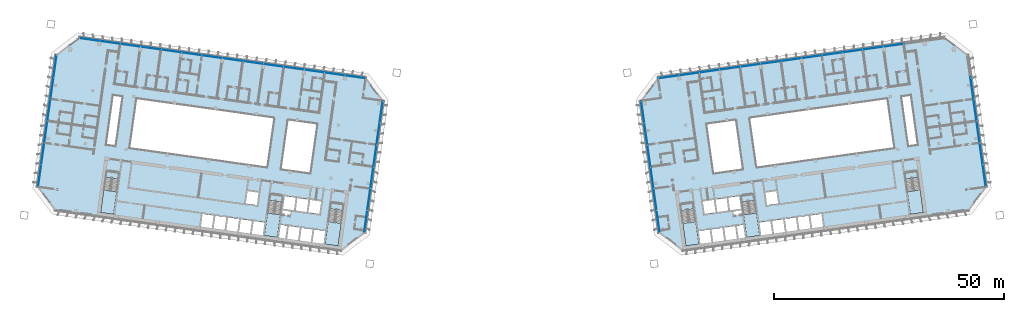
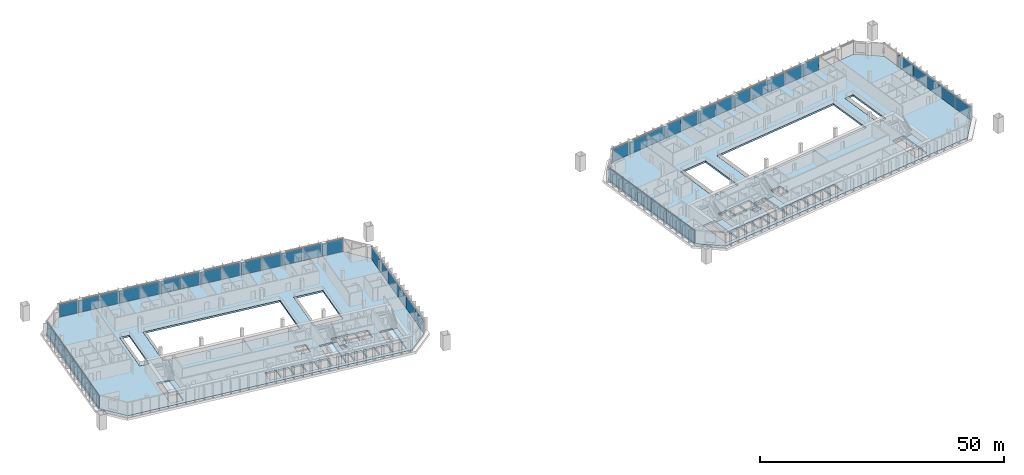
# One storey, part 12 of 25: 49 plates, 8 slabs, 12 elements without a shape of their own.
"""IFC4 building model written with IfcOpenShell, lengths in metres."""

from ifc_helpers import new_model, si_unit, direction, frame, origin, origin_2d, place, context, subcontext, project, spatial, polyline, rectangle, outline, extrude, material, layer, layer_set, type_object, element, aggregate, save


model = new_model("IFC4")

# Units and contexts
model_context = context("Model", 3, precision=1e-05, world=origin(), true_north=direction((0.0, 1.0)))
body_context = subcontext(model_context, "Body", "Model", "MODEL_VIEW")
ifc_project = project(units=[si_unit("LENGTHUNIT", "METRE"), si_unit("AREAUNIT", "SQUARE_METRE"), si_unit("VOLUMEUNIT", "CUBIC_METRE"), si_unit("PLANEANGLEUNIT", "RADIAN"), si_unit("MASSUNIT", "GRAM", prefix="KILO")], contexts=[model_context])

# Site, building, storey
site_placement = place(None, origin())
site = spatial("IfcSite", under=ifc_project, at=site_placement, CompositionType="ELEMENT")
building_placement = place(site_placement, origin())
building = spatial("IfcBuilding", under=site, at=building_placement, Name="Mirante Cascada Hotel Towers", CompositionType="ELEMENT")
storey_placement = place(building_placement, frame((0.0, 0.0, 102.5)))
storey = spatial("IfcBuildingStorey", under=building, at=storey_placement, Name="L22", CompositionType="ELEMENT", Elevation=102.5)

# Curtain wall, plates
ifc_material_1 = material(Name="Aluminium mullion and transom frame with clear laminated glass", Category="aluminium")
curtain_wall_type_1 = type_object("IfcCurtainWallType", Name="Ribbon curtain wall ECW1", PredefinedType="NOTDEFINED", material=ifc_material_1)
curtain_wall_1_placement = place(storey_placement, origin())
curtain_wall_1 = element("IfcCurtainWall", 1, at=curtain_wall_1_placement, inside=storey, type_object=curtain_wall_type_1, Name="Front ribbon wall T1 L22", PredefinedType="NOTDEFINED")
ifc_material_2 = material(Name="Clear laminated glass", Category="glass")
ifc_layer_1 = layer(ifc_material_2, 0.036)
ifc_layer_set_1 = layer_set([ifc_layer_1], Name="ECW1 glass panel 36")
plate_type_1 = type_object("IfcPlateType", Name="ECW1 glass panel 36", PredefinedType="CURTAIN_PANEL", material=ifc_layer_set_1)
plate_1_placement = place(storey_placement, frame((-91.9184, 25.7373, 0.1), z_axis=(0.0, 0.0, 1.0), x_axis=(0.9902681, -0.1391731, 0.0)))
plate_1 = element("IfcPlate", 2, at=plate_1_placement, type_object=plate_type_1, Name="ECW1 panel 1", PredefinedType="CURTAIN_PANEL", context=body_context, shape_type="SweptSolid", body=[
    extrude(rectangle(XDim=4.3936, YDim=0.036, at=origin_2d()), origin(), (0.0, 0.0, 1.0), 3.15),
])
plate_2_placement = place(storey_placement, frame((-87.487, 25.1145, 0.1), z_axis=(0.0, 0.0, 1.0), x_axis=(0.9902681, -0.1391731, 0.0)))
plate_2 = element("IfcPlate", 3, at=plate_2_placement, type_object=plate_type_1, Name="ECW1 panel 2", PredefinedType="CURTAIN_PANEL", context=body_context, shape_type="SweptSolid", body=[
    extrude(rectangle(XDim=4.4261, YDim=0.036, at=origin_2d()), origin(), (0.0, 0.0, 1.0), 3.15),
])
plate_3_placement = place(storey_placement, frame((-83.0396, 24.4895, 0.1), z_axis=(0.0, 0.0, 1.0), x_axis=(0.9902681, -0.1391731, 0.0)))
plate_3 = element("IfcPlate", 4, at=plate_3_placement, type_object=plate_type_1, Name="ECW1 panel 3", PredefinedType="CURTAIN_PANEL", context=body_context, shape_type="SweptSolid", body=[
    extrude(rectangle(XDim=4.4261, YDim=0.036, at=origin_2d()), origin(), (0.0, 0.0, 1.0), 3.15),
])
plate_4_placement = place(storey_placement, frame((-78.5922, 23.8644, 0.1), z_axis=(0.0, 0.0, 1.0), x_axis=(0.9902681, -0.1391731, 0.0)))
plate_4 = element("IfcPlate", 5, at=plate_4_placement, type_object=plate_type_1, Name="ECW1 panel 4", PredefinedType="CURTAIN_PANEL", context=body_context, shape_type="SweptSolid", body=[
    extrude(rectangle(XDim=4.4261, YDim=0.036, at=origin_2d()), origin(), (0.0, 0.0, 1.0), 3.15),
])
plate_5_placement = place(storey_placement, frame((-74.1448, 23.2394, 0.1), z_axis=(0.0, 0.0, 1.0), x_axis=(0.9902681, -0.1391731, 0.0)))
plate_5 = element("IfcPlate", 6, at=plate_5_placement, type_object=plate_type_1, Name="ECW1 panel 5", PredefinedType="CURTAIN_PANEL", context=body_context, shape_type="SweptSolid", body=[
    extrude(rectangle(XDim=4.4261, YDim=0.036, at=origin_2d()), origin(), (0.0, 0.0, 1.0), 3.15),
])
plate_6_placement = place(storey_placement, frame((-69.6974, 22.6144, 0.1), z_axis=(0.0, 0.0, 1.0), x_axis=(0.9902681, -0.1391731, 0.0)))
plate_6 = element("IfcPlate", 7, at=plate_6_placement, type_object=plate_type_1, Name="ECW1 panel 6", PredefinedType="CURTAIN_PANEL", context=body_context, shape_type="SweptSolid", body=[
    extrude(rectangle(XDim=4.4261, YDim=0.036, at=origin_2d()), origin(), (0.0, 0.0, 1.0), 3.15),
])
plate_7_placement = place(storey_placement, frame((-65.2499, 21.9893, 0.1), z_axis=(0.0, 0.0, 1.0), x_axis=(0.9902681, -0.1391731, 0.0)))
plate_7 = element("IfcPlate", 8, at=plate_7_placement, type_object=plate_type_1, Name="ECW1 panel 7", PredefinedType="CURTAIN_PANEL", context=body_context, shape_type="SweptSolid", body=[
    extrude(rectangle(XDim=4.4261, YDim=0.036, at=origin_2d()), origin(), (0.0, 0.0, 1.0), 3.15),
])
plate_8_placement = place(storey_placement, frame((-60.8025, 21.3643, 0.1), z_axis=(0.0, 0.0, 1.0), x_axis=(0.9902681, -0.1391731, 0.0)))
plate_8 = element("IfcPlate", 9, at=plate_8_placement, type_object=plate_type_1, Name="ECW1 panel 8", PredefinedType="CURTAIN_PANEL", context=body_context, shape_type="SweptSolid", body=[
    extrude(rectangle(XDim=4.4261, YDim=0.036, at=origin_2d()), origin(), (0.0, 0.0, 1.0), 3.15),
])
plate_9_placement = place(storey_placement, frame((-56.3551, 20.7392, 0.1), z_axis=(0.0, 0.0, 1.0), x_axis=(0.9902681, -0.1391731, 0.0)))
plate_9 = element("IfcPlate", 10, at=plate_9_placement, type_object=plate_type_1, Name="ECW1 panel 9", PredefinedType="CURTAIN_PANEL", context=body_context, shape_type="SweptSolid", body=[
    extrude(rectangle(XDim=4.4261, YDim=0.036, at=origin_2d()), origin(), (0.0, 0.0, 1.0), 3.15),
])
plate_10_placement = place(storey_placement, frame((-51.9077, 20.1142, 0.1), z_axis=(0.0, 0.0, 1.0), x_axis=(0.9902681, -0.1391731, 0.0)))
plate_10 = element("IfcPlate", 11, at=plate_10_placement, type_object=plate_type_1, Name="ECW1 panel 10", PredefinedType="CURTAIN_PANEL", context=body_context, shape_type="SweptSolid", body=[
    extrude(rectangle(XDim=4.4261, YDim=0.036, at=origin_2d()), origin(), (0.0, 0.0, 1.0), 3.15),
])
plate_11_placement = place(storey_placement, frame((-47.4603, 19.4891, 0.1), z_axis=(0.0, 0.0, 1.0), x_axis=(0.9902681, -0.1391731, 0.0)))
plate_11 = element("IfcPlate", 12, at=plate_11_placement, type_object=plate_type_1, Name="ECW1 panel 11", PredefinedType="CURTAIN_PANEL", context=body_context, shape_type="SweptSolid", body=[
    extrude(rectangle(XDim=4.4261, YDim=0.036, at=origin_2d()), origin(), (0.0, 0.0, 1.0), 3.15),
])
plate_12_placement = place(storey_placement, frame((-43.0129, 18.8641, 0.1), z_axis=(0.0, 0.0, 1.0), x_axis=(0.9902681, -0.1391731, 0.0)))
plate_12 = element("IfcPlate", 13, at=plate_12_placement, type_object=plate_type_1, Name="ECW1 panel 12", PredefinedType="CURTAIN_PANEL", context=body_context, shape_type="SweptSolid", body=[
    extrude(rectangle(XDim=4.4261, YDim=0.036, at=origin_2d()), origin(), (0.0, 0.0, 1.0), 3.15),
])
plate_13_placement = place(storey_placement, frame((-38.5654, 18.239, 0.1), z_axis=(0.0, 0.0, 1.0), x_axis=(0.9902681, -0.1391731, 0.0)))
plate_13 = element("IfcPlate", 14, at=plate_13_placement, type_object=plate_type_1, Name="ECW1 panel 13", PredefinedType="CURTAIN_PANEL", context=body_context, shape_type="SweptSolid", body=[
    extrude(rectangle(XDim=4.4261, YDim=0.036, at=origin_2d()), origin(), (0.0, 0.0, 1.0), 3.15),
])
plate_14_placement = place(storey_placement, frame((-34.1341, 17.6163, 0.1), z_axis=(0.0, 0.0, 1.0), x_axis=(0.9902681, -0.1391731, 0.0)))
plate_14 = element("IfcPlate", 15, at=plate_14_placement, type_object=plate_type_1, Name="ECW1 panel 14", PredefinedType="CURTAIN_PANEL", context=body_context, shape_type="SweptSolid", body=[
    extrude(rectangle(XDim=4.3936, YDim=0.036, at=origin_2d()), origin(), (0.0, 0.0, 1.0), 3.15),
])
aggregate(curtain_wall_1, [plate_1, plate_2, plate_3, plate_4, plate_5, plate_6, plate_7, plate_8, plate_9, plate_10, plate_11, plate_12, plate_13, plate_14])

curtain_wall_2_placement = place(storey_placement, origin())
curtain_wall_2 = element("IfcCurtainWall", 16, at=curtain_wall_2_placement, inside=storey, type_object=curtain_wall_type_1, Name="Front ribbon wall T2 L22", PredefinedType="NOTDEFINED")
plate_15_placement = place(storey_placement, frame((83.0396, 24.4895, 0.1), z_axis=(0.0, 0.0, 1.0), x_axis=(-0.9902681, -0.1391731, 0.0)))
plate_15 = element("IfcPlate", 17, at=plate_15_placement, type_object=plate_type_1, Name="ECW1 panel 3", PredefinedType="CURTAIN_PANEL", context=body_context, shape_type="SweptSolid", body=[
    extrude(rectangle(XDim=4.4261, YDim=0.036, at=origin_2d()), origin(), (0.0, 0.0, 1.0), 3.15),
])
plate_16_placement = place(storey_placement, frame((78.5922, 23.8644, 0.1), z_axis=(0.0, 0.0, 1.0), x_axis=(-0.9902681, -0.1391731, 0.0)))
plate_16 = element("IfcPlate", 18, at=plate_16_placement, type_object=plate_type_1, Name="ECW1 panel 4", PredefinedType="CURTAIN_PANEL", context=body_context, shape_type="SweptSolid", body=[
    extrude(rectangle(XDim=4.4261, YDim=0.036, at=origin_2d()), origin(), (0.0, 0.0, 1.0), 3.15),
])
plate_17_placement = place(storey_placement, frame((74.1448, 23.2394, 0.1), z_axis=(0.0, 0.0, 1.0), x_axis=(-0.9902681, -0.1391731, 0.0)))
plate_17 = element("IfcPlate", 19, at=plate_17_placement, type_object=plate_type_1, Name="ECW1 panel 5", PredefinedType="CURTAIN_PANEL", context=body_context, shape_type="SweptSolid", body=[
    extrude(rectangle(XDim=4.4261, YDim=0.036, at=origin_2d()), origin(), (0.0, 0.0, 1.0), 3.15),
])
plate_18_placement = place(storey_placement, frame((69.6974, 22.6144, 0.1), z_axis=(0.0, 0.0, 1.0), x_axis=(-0.9902681, -0.1391731, 0.0)))
plate_18 = element("IfcPlate", 20, at=plate_18_placement, type_object=plate_type_1, Name="ECW1 panel 6", PredefinedType="CURTAIN_PANEL", context=body_context, shape_type="SweptSolid", body=[
    extrude(rectangle(XDim=4.4261, YDim=0.036, at=origin_2d()), origin(), (0.0, 0.0, 1.0), 3.15),
])
plate_19_placement = place(storey_placement, frame((65.2499, 21.9893, 0.1), z_axis=(0.0, 0.0, 1.0), x_axis=(-0.9902681, -0.1391731, 0.0)))
plate_19 = element("IfcPlate", 21, at=plate_19_placement, type_object=plate_type_1, Name="ECW1 panel 7", PredefinedType="CURTAIN_PANEL", context=body_context, shape_type="SweptSolid", body=[
    extrude(rectangle(XDim=4.4261, YDim=0.036, at=origin_2d()), origin(), (0.0, 0.0, 1.0), 3.15),
])
plate_20_placement = place(storey_placement, frame((60.8025, 21.3643, 0.1), z_axis=(0.0, 0.0, 1.0), x_axis=(-0.9902681, -0.1391731, 0.0)))
plate_20 = element("IfcPlate", 22, at=plate_20_placement, type_object=plate_type_1, Name="ECW1 panel 8", PredefinedType="CURTAIN_PANEL", context=body_context, shape_type="SweptSolid", body=[
    extrude(rectangle(XDim=4.4261, YDim=0.036, at=origin_2d()), origin(), (0.0, 0.0, 1.0), 3.15),
])
plate_21_placement = place(storey_placement, frame((56.3551, 20.7392, 0.1), z_axis=(0.0, 0.0, 1.0), x_axis=(-0.9902681, -0.1391731, 0.0)))
plate_21 = element("IfcPlate", 23, at=plate_21_placement, type_object=plate_type_1, Name="ECW1 panel 9", PredefinedType="CURTAIN_PANEL", context=body_context, shape_type="SweptSolid", body=[
    extrude(rectangle(XDim=4.4261, YDim=0.036, at=origin_2d()), origin(), (0.0, 0.0, 1.0), 3.15),
])
plate_22_placement = place(storey_placement, frame((51.9077, 20.1142, 0.1), z_axis=(0.0, 0.0, 1.0), x_axis=(-0.9902681, -0.1391731, 0.0)))
plate_22 = element("IfcPlate", 24, at=plate_22_placement, type_object=plate_type_1, Name="ECW1 panel 10", PredefinedType="CURTAIN_PANEL", context=body_context, shape_type="SweptSolid", body=[
    extrude(rectangle(XDim=4.4261, YDim=0.036, at=origin_2d()), origin(), (0.0, 0.0, 1.0), 3.15),
])
plate_23_placement = place(storey_placement, frame((47.4603, 19.4891, 0.1), z_axis=(0.0, 0.0, 1.0), x_axis=(-0.9902681, -0.1391731, 0.0)))
plate_23 = element("IfcPlate", 25, at=plate_23_placement, type_object=plate_type_1, Name="ECW1 panel 11", PredefinedType="CURTAIN_PANEL", context=body_context, shape_type="SweptSolid", body=[
    extrude(rectangle(XDim=4.4261, YDim=0.036, at=origin_2d()), origin(), (0.0, 0.0, 1.0), 3.15),
])
plate_24_placement = place(storey_placement, frame((43.0129, 18.8641, 0.1), z_axis=(0.0, 0.0, 1.0), x_axis=(-0.9902681, -0.1391731, 0.0)))
plate_24 = element("IfcPlate", 26, at=plate_24_placement, type_object=plate_type_1, Name="ECW1 panel 12", PredefinedType="CURTAIN_PANEL", context=body_context, shape_type="SweptSolid", body=[
    extrude(rectangle(XDim=4.4261, YDim=0.036, at=origin_2d()), origin(), (0.0, 0.0, 1.0), 3.15),
])
plate_25_placement = place(storey_placement, frame((38.5654, 18.239, 0.1), z_axis=(0.0, 0.0, 1.0), x_axis=(-0.9902681, -0.1391731, 0.0)))
plate_25 = element("IfcPlate", 27, at=plate_25_placement, type_object=plate_type_1, Name="ECW1 panel 13", PredefinedType="CURTAIN_PANEL", context=body_context, shape_type="SweptSolid", body=[
    extrude(rectangle(XDim=4.4261, YDim=0.036, at=origin_2d()), origin(), (0.0, 0.0, 1.0), 3.15),
])
plate_26_placement = place(storey_placement, frame((34.1341, 17.6163, 0.1), z_axis=(0.0, 0.0, 1.0), x_axis=(-0.9902681, -0.1391731, 0.0)))
plate_26 = element("IfcPlate", 28, at=plate_26_placement, type_object=plate_type_1, Name="ECW1 panel 14", PredefinedType="CURTAIN_PANEL", context=body_context, shape_type="SweptSolid", body=[
    extrude(rectangle(XDim=4.3936, YDim=0.036, at=origin_2d()), origin(), (0.0, 0.0, 1.0), 3.15),
])
aggregate(curtain_wall_2, [plate_15, plate_16, plate_17, plate_18, plate_19, plate_20, plate_21, plate_22, plate_23, plate_24, plate_25, plate_26])

ifc_material_3 = material(Name="Aluminium mullion and transom frame with clear laminated glass", Category="aluminium")
curtain_wall_type_2 = type_object("IfcCurtainWallType", Name="End ribbon curtain wall ECW2", PredefinedType="NOTDEFINED", material=ifc_material_3)
curtain_wall_3_placement = place(storey_placement, origin())
curtain_wall_3 = element("IfcCurtainWall", 29, at=curtain_wall_3_placement, inside=storey, type_object=curtain_wall_type_2, Name="Inner end wall T1 L22", PredefinedType="NOTDEFINED")
ifc_material_4 = material(Name="Clear laminated glass", Category="glass")
ifc_layer_2 = layer(ifc_material_4, 0.034)
ifc_layer_set_2 = layer_set([ifc_layer_2], Name="ECW2 glass panel 34")
plate_type_2 = type_object("IfcPlateType", Name="ECW2 glass panel 34", PredefinedType="CURTAIN_PANEL", material=ifc_layer_set_2)
plate_27_placement = place(storey_placement, frame((-28.4763, 9.9193, 0.1), z_axis=(0.0, 0.0, 1.0), x_axis=(-0.1391731, -0.9902681, 0.0)))
plate_27 = element("IfcPlate", 30, at=plate_27_placement, type_object=plate_type_2, Name="ECW2 panel 1", PredefinedType="CURTAIN_PANEL", context=body_context, shape_type="SweptSolid", body=[
    extrude(rectangle(XDim=4.7151, YDim=0.034, at=origin_2d()), origin(), (0.0, 0.0, 1.0), 3.15),
])
plate_28_placement = place(storey_placement, frame((-29.1439, 5.1696, 0.1), z_axis=(0.0, 0.0, 1.0), x_axis=(-0.1391731, -0.9902681, 0.0)))
plate_28 = element("IfcPlate", 31, at=plate_28_placement, type_object=plate_type_2, Name="ECW2 panel 2", PredefinedType="CURTAIN_PANEL", context=body_context, shape_type="SweptSolid", body=[
    extrude(rectangle(XDim=4.7476, YDim=0.034, at=origin_2d()), origin(), (0.0, 0.0, 1.0), 3.15),
])
plate_29_placement = place(storey_placement, frame((-29.8136, 0.4038, 0.1), z_axis=(0.0, 0.0, 1.0), x_axis=(-0.1391731, -0.9902681, 0.0)))
plate_29 = element("IfcPlate", 32, at=plate_29_placement, type_object=plate_type_2, Name="ECW2 panel 3", PredefinedType="CURTAIN_PANEL", context=body_context, shape_type="SweptSolid", body=[
    extrude(rectangle(XDim=4.7476, YDim=0.034, at=origin_2d()), origin(), (0.0, 0.0, 1.0), 3.15),
])
plate_30_placement = place(storey_placement, frame((-30.4834, -4.362, 0.1), z_axis=(0.0, 0.0, 1.0), x_axis=(-0.1391731, -0.9902681, 0.0)))
plate_30 = element("IfcPlate", 33, at=plate_30_placement, type_object=plate_type_2, Name="ECW2 panel 4", PredefinedType="CURTAIN_PANEL", context=body_context, shape_type="SweptSolid", body=[
    extrude(rectangle(XDim=4.7476, YDim=0.034, at=origin_2d()), origin(), (0.0, 0.0, 1.0), 3.15),
])
plate_31_placement = place(storey_placement, frame((-31.1532, -9.1278, 0.1), z_axis=(0.0, 0.0, 1.0), x_axis=(-0.1391731, -0.9902681, 0.0)))
plate_31 = element("IfcPlate", 34, at=plate_31_placement, type_object=plate_type_2, Name="ECW2 panel 5", PredefinedType="CURTAIN_PANEL", context=body_context, shape_type="SweptSolid", body=[
    extrude(rectangle(XDim=4.7476, YDim=0.034, at=origin_2d()), origin(), (0.0, 0.0, 1.0), 3.15),
])
plate_32_placement = place(storey_placement, frame((-31.8207, -13.8775, 0.1), z_axis=(0.0, 0.0, 1.0), x_axis=(-0.1391731, -0.9902681, 0.0)))
plate_32 = element("IfcPlate", 35, at=plate_32_placement, type_object=plate_type_2, Name="ECW2 panel 6", PredefinedType="CURTAIN_PANEL", context=body_context, shape_type="SweptSolid", body=[
    extrude(rectangle(XDim=4.7151, YDim=0.034, at=origin_2d()), origin(), (0.0, 0.0, 1.0), 3.15),
])
aggregate(curtain_wall_3, [plate_27, plate_28, plate_29, plate_30, plate_31, plate_32])

curtain_wall_4_placement = place(storey_placement, origin())
curtain_wall_4 = element("IfcCurtainWall", 36, at=curtain_wall_4_placement, inside=storey, type_object=curtain_wall_type_2, Name="Outer end wall T1 L22", PredefinedType="NOTDEFINED")
plate_33_placement = place(storey_placement, frame((-102.823, -3.8988, 0.1), z_axis=(0.0, 0.0, 1.0), x_axis=(0.1391731, 0.9902681, 0.0)))
plate_33 = element("IfcPlate", 37, at=plate_33_placement, type_object=plate_type_2, Name="ECW2 panel 1", PredefinedType="CURTAIN_PANEL", context=body_context, shape_type="SweptSolid", body=[
    extrude(rectangle(XDim=4.7151, YDim=0.034, at=origin_2d()), origin(), (0.0, 0.0, 1.0), 3.15),
])
plate_34_placement = place(storey_placement, frame((-102.1554, 0.8509, 0.1), z_axis=(0.0, 0.0, 1.0), x_axis=(0.1391731, 0.9902681, 0.0)))
plate_34 = element("IfcPlate", 38, at=plate_34_placement, type_object=plate_type_2, Name="ECW2 panel 2", PredefinedType="CURTAIN_PANEL", context=body_context, shape_type="SweptSolid", body=[
    extrude(rectangle(XDim=4.7476, YDim=0.034, at=origin_2d()), origin(), (0.0, 0.0, 1.0), 3.15),
])
plate_35_placement = place(storey_placement, frame((-101.4857, 5.6167, 0.1), z_axis=(0.0, 0.0, 1.0), x_axis=(0.1391731, 0.9902681, 0.0)))
plate_35 = element("IfcPlate", 39, at=plate_35_placement, type_object=plate_type_2, Name="ECW2 panel 3", PredefinedType="CURTAIN_PANEL", context=body_context, shape_type="SweptSolid", body=[
    extrude(rectangle(XDim=4.7476, YDim=0.034, at=origin_2d()), origin(), (0.0, 0.0, 1.0), 3.15),
])
plate_36_placement = place(storey_placement, frame((-100.8159, 10.3825, 0.1), z_axis=(0.0, 0.0, 1.0), x_axis=(0.1391731, 0.9902681, 0.0)))
plate_36 = element("IfcPlate", 40, at=plate_36_placement, type_object=plate_type_2, Name="ECW2 panel 4", PredefinedType="CURTAIN_PANEL", context=body_context, shape_type="SweptSolid", body=[
    extrude(rectangle(XDim=4.7476, YDim=0.034, at=origin_2d()), origin(), (0.0, 0.0, 1.0), 3.15),
])
plate_37_placement = place(storey_placement, frame((-100.1461, 15.1483, 0.1), z_axis=(0.0, 0.0, 1.0), x_axis=(0.1391731, 0.9902681, 0.0)))
plate_37 = element("IfcPlate", 41, at=plate_37_placement, type_object=plate_type_2, Name="ECW2 panel 5", PredefinedType="CURTAIN_PANEL", context=body_context, shape_type="SweptSolid", body=[
    extrude(rectangle(XDim=4.7476, YDim=0.034, at=origin_2d()), origin(), (0.0, 0.0, 1.0), 3.15),
])
plate_38_placement = place(storey_placement, frame((-99.4786, 19.898, 0.1), z_axis=(0.0, 0.0, 1.0), x_axis=(0.1391731, 0.9902681, 0.0)))
plate_38 = element("IfcPlate", 42, at=plate_38_placement, type_object=plate_type_2, Name="ECW2 panel 6", PredefinedType="CURTAIN_PANEL", context=body_context, shape_type="SweptSolid", body=[
    extrude(rectangle(XDim=4.7151, YDim=0.034, at=origin_2d()), origin(), (0.0, 0.0, 1.0), 3.15),
])
aggregate(curtain_wall_4, [plate_33, plate_34, plate_35, plate_36, plate_37, plate_38])

curtain_wall_5_placement = place(storey_placement, origin())
curtain_wall_5 = element("IfcCurtainWall", 43, at=curtain_wall_5_placement, inside=storey, type_object=curtain_wall_type_2, Name="Inner end wall T2 L22", PredefinedType="NOTDEFINED")
plate_39_placement = place(storey_placement, frame((28.4763, 9.9193, 0.1), z_axis=(0.0, 0.0, 1.0), x_axis=(0.1391731, -0.9902681, 0.0)))
plate_39 = element("IfcPlate", 44, at=plate_39_placement, type_object=plate_type_2, Name="ECW2 panel 1", PredefinedType="CURTAIN_PANEL", context=body_context, shape_type="SweptSolid", body=[
    extrude(rectangle(XDim=4.7151, YDim=0.034, at=origin_2d()), origin(), (0.0, 0.0, 1.0), 3.15),
])
plate_40_placement = place(storey_placement, frame((29.1439, 5.1696, 0.1), z_axis=(0.0, 0.0, 1.0), x_axis=(0.1391731, -0.9902681, 0.0)))
plate_40 = element("IfcPlate", 45, at=plate_40_placement, type_object=plate_type_2, Name="ECW2 panel 2", PredefinedType="CURTAIN_PANEL", context=body_context, shape_type="SweptSolid", body=[
    extrude(rectangle(XDim=4.7476, YDim=0.034, at=origin_2d()), origin(), (0.0, 0.0, 1.0), 3.15),
])
plate_41_placement = place(storey_placement, frame((29.8136, 0.4038, 0.1), z_axis=(0.0, 0.0, 1.0), x_axis=(0.1391731, -0.9902681, 0.0)))
plate_41 = element("IfcPlate", 46, at=plate_41_placement, type_object=plate_type_2, Name="ECW2 panel 3", PredefinedType="CURTAIN_PANEL", context=body_context, shape_type="SweptSolid", body=[
    extrude(rectangle(XDim=4.7476, YDim=0.034, at=origin_2d()), origin(), (0.0, 0.0, 1.0), 3.15),
])
plate_42_placement = place(storey_placement, frame((30.4834, -4.362, 0.1), z_axis=(0.0, 0.0, 1.0), x_axis=(0.1391731, -0.9902681, 0.0)))
plate_42 = element("IfcPlate", 47, at=plate_42_placement, type_object=plate_type_2, Name="ECW2 panel 4", PredefinedType="CURTAIN_PANEL", context=body_context, shape_type="SweptSolid", body=[
    extrude(rectangle(XDim=4.7476, YDim=0.034, at=origin_2d()), origin(), (0.0, 0.0, 1.0), 3.15),
])
plate_43_placement = place(storey_placement, frame((31.1532, -9.1278, 0.1), z_axis=(0.0, 0.0, 1.0), x_axis=(0.1391731, -0.9902681, 0.0)))
plate_43 = element("IfcPlate", 48, at=plate_43_placement, type_object=plate_type_2, Name="ECW2 panel 5", PredefinedType="CURTAIN_PANEL", context=body_context, shape_type="SweptSolid", body=[
    extrude(rectangle(XDim=4.7476, YDim=0.034, at=origin_2d()), origin(), (0.0, 0.0, 1.0), 3.15),
])
plate_44_placement = place(storey_placement, frame((31.8207, -13.8775, 0.1), z_axis=(0.0, 0.0, 1.0), x_axis=(0.1391731, -0.9902681, 0.0)))
plate_44 = element("IfcPlate", 49, at=plate_44_placement, type_object=plate_type_2, Name="ECW2 panel 6", PredefinedType="CURTAIN_PANEL", context=body_context, shape_type="SweptSolid", body=[
    extrude(rectangle(XDim=4.7151, YDim=0.034, at=origin_2d()), origin(), (0.0, 0.0, 1.0), 3.15),
])
aggregate(curtain_wall_5, [plate_39, plate_40, plate_41, plate_42, plate_43, plate_44])

curtain_wall_6_placement = place(storey_placement, origin())
curtain_wall_6 = element("IfcCurtainWall", 50, at=curtain_wall_6_placement, inside=storey, type_object=curtain_wall_type_2, Name="Outer end wall T2 L22", PredefinedType="NOTDEFINED")
plate_45_placement = place(storey_placement, frame((102.823, -3.8988, 0.1), z_axis=(0.0, 0.0, 1.0), x_axis=(-0.1391731, 0.9902681, 0.0)))
plate_45 = element("IfcPlate", 51, at=plate_45_placement, type_object=plate_type_2, Name="ECW2 panel 1", PredefinedType="CURTAIN_PANEL", context=body_context, shape_type="SweptSolid", body=[
    extrude(rectangle(XDim=4.7151, YDim=0.034, at=origin_2d()), origin(), (0.0, 0.0, 1.0), 3.15),
])
plate_46_placement = place(storey_placement, frame((102.1554, 0.8509, 0.1), z_axis=(0.0, 0.0, 1.0), x_axis=(-0.1391731, 0.9902681, 0.0)))
plate_46 = element("IfcPlate", 52, at=plate_46_placement, type_object=plate_type_2, Name="ECW2 panel 2", PredefinedType="CURTAIN_PANEL", context=body_context, shape_type="SweptSolid", body=[
    extrude(rectangle(XDim=4.7476, YDim=0.034, at=origin_2d()), origin(), (0.0, 0.0, 1.0), 3.15),
])
plate_47_placement = place(storey_placement, frame((101.4857, 5.6167, 0.1), z_axis=(0.0, 0.0, 1.0), x_axis=(-0.1391731, 0.9902681, 0.0)))
plate_47 = element("IfcPlate", 53, at=plate_47_placement, type_object=plate_type_2, Name="ECW2 panel 3", PredefinedType="CURTAIN_PANEL", context=body_context, shape_type="SweptSolid", body=[
    extrude(rectangle(XDim=4.7476, YDim=0.034, at=origin_2d()), origin(), (0.0, 0.0, 1.0), 3.15),
])
plate_48_placement = place(storey_placement, frame((100.8159, 10.3825, 0.1), z_axis=(0.0, 0.0, 1.0), x_axis=(-0.1391731, 0.9902681, 0.0)))
plate_48 = element("IfcPlate", 54, at=plate_48_placement, type_object=plate_type_2, Name="ECW2 panel 4", PredefinedType="CURTAIN_PANEL", context=body_context, shape_type="SweptSolid", body=[
    extrude(rectangle(XDim=4.7476, YDim=0.034, at=origin_2d()), origin(), (0.0, 0.0, 1.0), 3.15),
])
plate_49_placement = place(storey_placement, frame((100.1461, 15.1483, 0.1), z_axis=(0.0, 0.0, 1.0), x_axis=(-0.1391731, 0.9902681, 0.0)))
plate_49 = element("IfcPlate", 55, at=plate_49_placement, type_object=plate_type_2, Name="ECW2 panel 5", PredefinedType="CURTAIN_PANEL", context=body_context, shape_type="SweptSolid", body=[
    extrude(rectangle(XDim=4.7476, YDim=0.034, at=origin_2d()), origin(), (0.0, 0.0, 1.0), 3.15),
])
aggregate(curtain_wall_6, [plate_45, plate_46, plate_47, plate_48, plate_49])

# Stair, slab
ifc_material_5 = material(Name="Concrete C35/45", Category="concrete")
stair_type = type_object("IfcStairType", Name="Exit stair half-turn 1350 concrete C35/45", PredefinedType="HALF_TURN_STAIR", material=ifc_material_5)
stair_1_placement = place(storey_placement, origin())
stair_1 = element("IfcStair", 56, at=stair_1_placement, inside=storey, type_object=stair_type, Name="L22 Exit stair A", PredefinedType="HALF_TURN_STAIR")
ifc_material_6 = material(Name="Concrete C35/45", Category="concrete")
ifc_layer_3 = layer(ifc_material_6, 0.2)
ifc_layer_set_3 = layer_set([ifc_layer_3], Name="Exit stair landing 200 concrete C35/45")
slab_type_1 = type_object("IfcSlabType", Name="Exit stair landing 200 concrete C35/45", PredefinedType="LANDING", material=ifc_layer_set_3)
slab_1_placement = place(storey_placement, frame((0.0, 0.0, 1.7)))
slab_1 = element("IfcSlab", 57, at=slab_1_placement, type_object=slab_type_1, Name="ST1-A landing 1", PredefinedType="LANDING", context=body_context, shape_type="SweptSolid", body=[
    extrude(outline(polyline([(-39.9987, -13.8659), (-40.6887, -18.7757), (-37.8665, -19.1723), (-37.1765, -14.2626), (-39.9987, -13.8659)])), origin(), (0.0, 0.0, 1.0), 0.2),
])
aggregate(stair_1, [slab_1])

stair_2_placement = place(storey_placement, origin())
stair_2 = element("IfcStair", 58, at=stair_2_placement, inside=storey, type_object=stair_type, Name="L22 Exit stair B", PredefinedType="HALF_TURN_STAIR")
slab_2_placement = place(storey_placement, frame((0.0, 0.0, 1.7)))
slab_2 = element("IfcSlab", 59, at=slab_2_placement, type_object=slab_type_1, Name="ST1-B landing 1", PredefinedType="LANDING", context=body_context, shape_type="SweptSolid", body=[
    extrude(outline(polyline([(-53.2188, -12.008), (-53.9088, -16.9177), (-51.0866, -17.3144), (-50.3965, -12.4046), (-53.2188, -12.008)])), origin(), (0.0, 0.0, 1.0), 0.2),
])
aggregate(stair_2, [slab_2])

stair_3_placement = place(storey_placement, origin())
stair_3 = element("IfcStair", 60, at=stair_3_placement, inside=storey, type_object=stair_type, Name="L22 Exit stair C", PredefinedType="HALF_TURN_STAIR")
slab_3_placement = place(storey_placement, frame((0.0, 0.0, 1.7)))
slab_3 = element("IfcSlab", 61, at=slab_3_placement, type_object=slab_type_1, Name="ST1-C landing 1", PredefinedType="LANDING", context=body_context, shape_type="SweptSolid", body=[
    extrude(outline(polyline([(-88.8685, -6.9977), (-89.5585, -11.9075), (-86.7362, -12.3041), (-86.0462, -7.3944), (-88.8685, -6.9977)])), origin(), (0.0, 0.0, 1.0), 0.2),
])
aggregate(stair_3, [slab_3])

stair_4_placement = place(storey_placement, origin())
stair_4 = element("IfcStair", 62, at=stair_4_placement, inside=storey, type_object=stair_type, Name="L22 Exit stair A", PredefinedType="HALF_TURN_STAIR")
slab_4_placement = place(storey_placement, frame((0.0, 0.0, 1.7)))
slab_4 = element("IfcSlab", 63, at=slab_4_placement, type_object=slab_type_1, Name="ST2-A landing 1", PredefinedType="LANDING", context=body_context, shape_type="SweptSolid", body=[
    extrude(outline(polyline([(37.1765, -14.2626), (37.8665, -19.1723), (40.6887, -18.7757), (39.9987, -13.8659), (37.1765, -14.2626)])), origin(), (0.0, 0.0, 1.0), 0.2),
])
aggregate(stair_4, [slab_4])

stair_5_placement = place(storey_placement, origin())
stair_5 = element("IfcStair", 64, at=stair_5_placement, inside=storey, type_object=stair_type, Name="L22 Exit stair B", PredefinedType="HALF_TURN_STAIR")
slab_5_placement = place(storey_placement, frame((0.0, 0.0, 1.7)))
slab_5 = element("IfcSlab", 65, at=slab_5_placement, type_object=slab_type_1, Name="ST2-B landing 1", PredefinedType="LANDING", context=body_context, shape_type="SweptSolid", body=[
    extrude(outline(polyline([(50.3965, -12.4046), (51.0866, -17.3144), (53.9088, -16.9177), (53.2188, -12.008), (50.3965, -12.4046)])), origin(), (0.0, 0.0, 1.0), 0.2),
])
aggregate(stair_5, [slab_5])

stair_6_placement = place(storey_placement, origin())
stair_6 = element("IfcStair", 66, at=stair_6_placement, inside=storey, type_object=stair_type, Name="L22 Exit stair C", PredefinedType="HALF_TURN_STAIR")
slab_6_placement = place(storey_placement, frame((0.0, 0.0, 1.7)))
slab_6 = element("IfcSlab", 67, at=slab_6_placement, type_object=slab_type_1, Name="ST2-C landing 1", PredefinedType="LANDING", context=body_context, shape_type="SweptSolid", body=[
    extrude(outline(polyline([(86.0462, -7.3944), (86.7362, -12.3041), (89.5585, -11.9075), (88.8685, -6.9977), (86.0462, -7.3944)])), origin(), (0.0, 0.0, 1.0), 0.2),
])
aggregate(stair_6, [slab_6])

# Slabs
ifc_material_7 = material(Name="Concrete C40/50", Category="concrete")
ifc_layer_4 = layer(ifc_material_7, 0.45)
ifc_layer_set_4 = layer_set([ifc_layer_4], Name="Post-tensioned flat plate 450 Concrete C40/50")
slab_type_2 = type_object("IfcSlabType", Name="Post-tensioned flat plate 450 Concrete C40/50", PredefinedType="FLOOR", material=ifc_layer_set_4)
slab_7_placement = place(storey_placement, frame((0.0, 0.0, -0.45)))
element("IfcSlab", 68, at=slab_7_placement, inside=storey, type_object=slab_type_2, Name="Floor T1 L22", PredefinedType="FLOOR", context=body_context, shape_type="SweptSolid", body=[
    extrude(outline(polyline([(-32.018, -16.3589), (-27.982, 12.3589), (-31.8119, 17.4414), (-94.1988, 26.2093), (-99.2813, 22.3794), (-103.3173, -6.3384), (-99.4874, -11.4209), (-37.1005, -20.1888), (-32.018, -16.3589)]), holes=[polyline([(-43.0718, -15.6132), (-40.5961, -15.9612), (-40.9858, -18.7339), (-43.4615, -18.386), (-43.0718, -15.6132)]), polyline([(-45.8446, -15.2236), (-43.3689, -15.5715), (-43.7586, -18.3442), (-46.2342, -17.9963), (-45.8446, -15.2236)]), polyline([(-48.6173, -14.8339), (-46.1416, -15.1818), (-46.5313, -17.9546), (-49.007, -17.6066), (-48.6173, -14.8339)]), polyline([(-50.3998, -14.5834), (-48.9144, -14.7921), (-49.3041, -17.5649), (-50.7895, -17.3561), (-50.3998, -14.5834)]), polyline([(-36.7887, -11.5037), (-37.8665, -19.1723), (-40.6887, -18.7757), (-39.611, -11.107), (-36.7887, -11.5037)]), polyline([(-49.9544, -11.4145), (-48.1472, -11.6685), (-48.2829, -12.634), (-50.0901, -12.38), (-49.9544, -11.4145)]), polyline([(-43.9775, -9.124), (-41.5018, -9.472), (-41.8915, -12.2447), (-44.3672, -11.8968), (-43.9775, -9.124)]), polyline([(-47.1399, -11.5071), (-46.7503, -8.7344), (-44.2746, -9.0823), (-44.6643, -11.855), (-47.1399, -11.5071)]), polyline([(-49.9127, -11.1174), (-49.523, -8.3447), (-47.0473, -8.6926), (-47.437, -11.4654), (-49.9127, -11.1174)]), polyline([(-56.2919, -13.7553), (-53.8162, -14.1032), (-54.2059, -16.876), (-56.6816, -16.528), (-56.2919, -13.7553)]), polyline([(-59.0646, -13.3656), (-56.589, -13.7135), (-56.9787, -16.4863), (-59.4543, -16.1383), (-59.0646, -13.3656)]), polyline([(-61.8374, -12.9759), (-59.3617, -13.3238), (-59.7514, -16.0966), (-62.2271, -15.7487), (-61.8374, -12.9759)]), polyline([(-64.6101, -12.5862), (-62.1345, -12.9342), (-62.5242, -15.7069), (-64.9998, -15.359), (-64.6101, -12.5862)]), polyline([(-67.3829, -12.1965), (-64.9072, -12.5445), (-65.2969, -15.3172), (-67.7726, -14.9693), (-67.3829, -12.1965)]), polyline([(-50.0088, -9.6457), (-51.0866, -17.3144), (-53.9088, -16.9177), (-52.8311, -9.2491), (-50.0088, -9.6457)]), polyline([(-85.6585, -4.6355), (-86.7362, -12.3041), (-89.5585, -11.9075), (-88.4807, -4.2388), (-85.6585, -4.6355)]), polyline([(-57.9834, -9.9832), (-57.5937, -7.2104), (-55.118, -7.5583), (-55.5077, -10.3311), (-57.9834, -9.9832)]), polyline([(-86.873, 13.6677), (-84.7325, 13.3668), (-84.7325, 13.3668), (-86.2634, 2.4739), (-86.2634, 2.4739), (-88.4039, 2.7747), (-86.873, 13.6677)]), polyline([(-51.7318, 8.7289), (-53.2627, -2.1641), (-53.2627, -2.1641), (-83.2906, 2.0561), (-83.2906, 2.0561), (-81.7597, 12.949), (-81.7597, 12.949), (-51.7318, 8.7289)]), polyline([(-42.3109, 7.4049), (-43.8418, -3.4881), (-50.2899, -2.5818), (-50.2899, -2.5818), (-48.759, 8.3111), (-42.3109, 7.4049)])]), origin(), (0.0, 0.0, 1.0), 0.45),
])
slab_8_placement = place(storey_placement, frame((0.0, 0.0, -0.45)))
element("IfcSlab", 69, at=slab_8_placement, inside=storey, type_object=slab_type_2, Name="Floor T2 L22", PredefinedType="FLOOR", context=body_context, shape_type="SweptSolid", body=[
    extrude(outline(polyline([(32.018, -16.3589), (27.982, 12.3589), (31.8119, 17.4414), (94.1988, 26.2093), (99.2813, 22.3794), (103.3173, -6.3384), (99.4874, -11.4209), (37.1005, -20.1888), (32.018, -16.3589)]), holes=[polyline([(43.0718, -15.6132), (40.5961, -15.9612), (40.9858, -18.7339), (43.4615, -18.386), (43.0718, -15.6132)]), polyline([(45.8446, -15.2236), (43.3689, -15.5715), (43.7586, -18.3442), (46.2342, -17.9963), (45.8446, -15.2236)]), polyline([(48.6173, -14.8339), (46.1416, -15.1818), (46.5313, -17.9546), (49.007, -17.6066), (48.6173, -14.8339)]), polyline([(50.3998, -14.5834), (48.9144, -14.7921), (49.3041, -17.5649), (50.7895, -17.3561), (50.3998, -14.5834)]), polyline([(37.8665, -19.1723), (40.6887, -18.7757), (39.611, -11.107), (36.7887, -11.5037), (37.8665, -19.1723)]), polyline([(49.9544, -11.4145), (48.1472, -11.6685), (48.2829, -12.634), (50.0901, -12.38), (49.9544, -11.4145)]), polyline([(43.9775, -9.124), (41.5018, -9.472), (41.8915, -12.2447), (44.3672, -11.8968), (43.9775, -9.124)]), polyline([(47.1399, -11.5071), (46.7503, -8.7344), (44.2746, -9.0823), (44.6643, -11.855), (47.1399, -11.5071)]), polyline([(49.9127, -11.1174), (49.523, -8.3447), (47.0473, -8.6926), (47.437, -11.4654), (49.9127, -11.1174)]), polyline([(56.2919, -13.7553), (53.8162, -14.1032), (54.2059, -16.876), (56.6816, -16.528), (56.2919, -13.7553)]), polyline([(59.0646, -13.3656), (56.589, -13.7135), (56.9787, -16.4863), (59.4543, -16.1383), (59.0646, -13.3656)]), polyline([(61.8374, -12.9759), (59.3617, -13.3238), (59.7514, -16.0966), (62.2271, -15.7487), (61.8374, -12.9759)]), polyline([(64.6101, -12.5862), (62.1345, -12.9342), (62.5242, -15.7069), (64.9998, -15.359), (64.6101, -12.5862)]), polyline([(67.3829, -12.1965), (64.9072, -12.5445), (65.2969, -15.3172), (67.7726, -14.9693), (67.3829, -12.1965)]), polyline([(51.0866, -17.3144), (53.9088, -16.9177), (52.8311, -9.2491), (50.0088, -9.6457), (51.0866, -17.3144)]), polyline([(86.7362, -12.3041), (89.5585, -11.9075), (88.4807, -4.2388), (85.6585, -4.6355), (86.7362, -12.3041)]), polyline([(57.9834, -9.9832), (57.5937, -7.2104), (55.118, -7.5583), (55.5077, -10.3311), (57.9834, -9.9832)]), polyline([(86.873, 13.6677), (88.4039, 2.7747), (86.2634, 2.4739), (86.2634, 2.4739), (84.7325, 13.3668), (84.7325, 13.3668), (86.873, 13.6677)]), polyline([(81.7597, 12.949), (81.7597, 12.949), (83.2906, 2.0561), (83.2906, 2.0561), (53.2627, -2.1641), (53.2627, -2.1641), (51.7318, 8.7289), (81.7597, 12.949)]), polyline([(43.8418, -3.4881), (42.3109, 7.4049), (48.759, 8.3111), (50.2899, -2.5818), (50.2899, -2.5818), (43.8418, -3.4881)])]), origin(), (0.0, 0.0, 1.0), 0.45),
])

save(model, "model.ifc")
